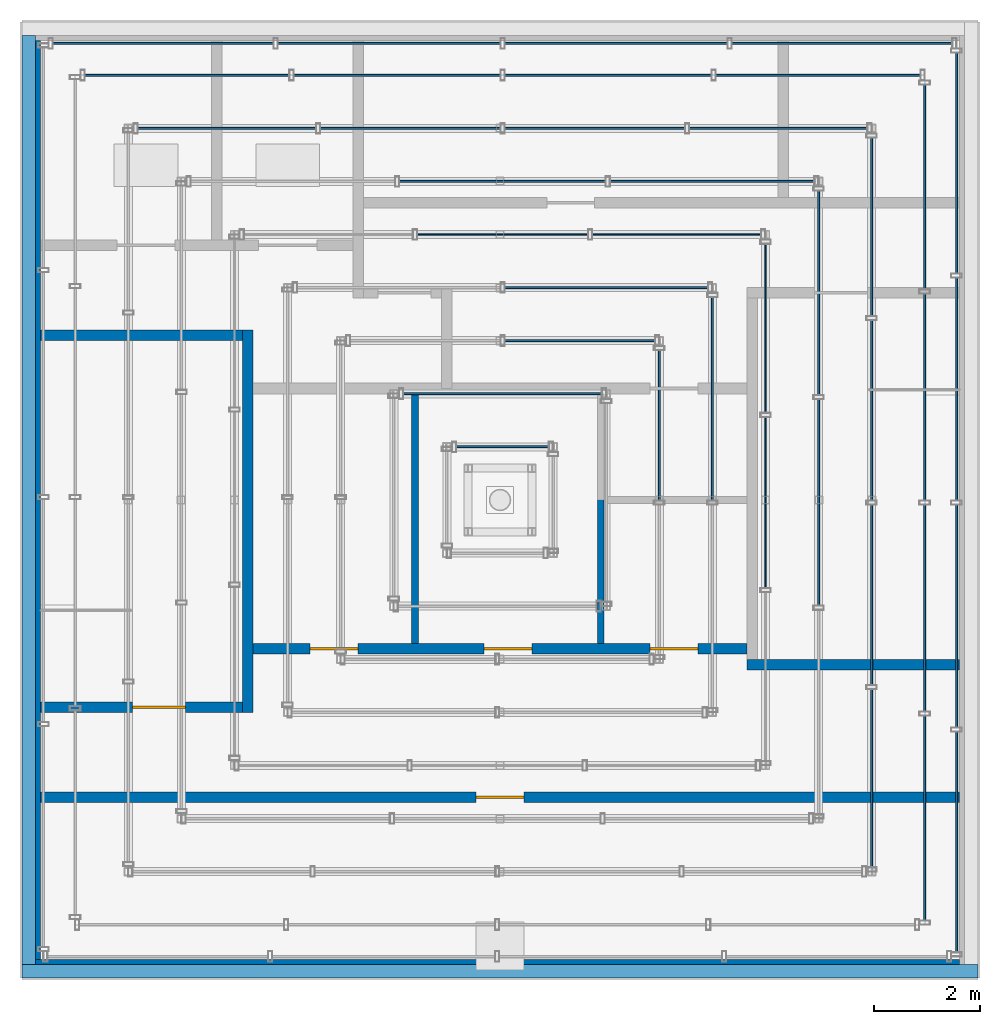
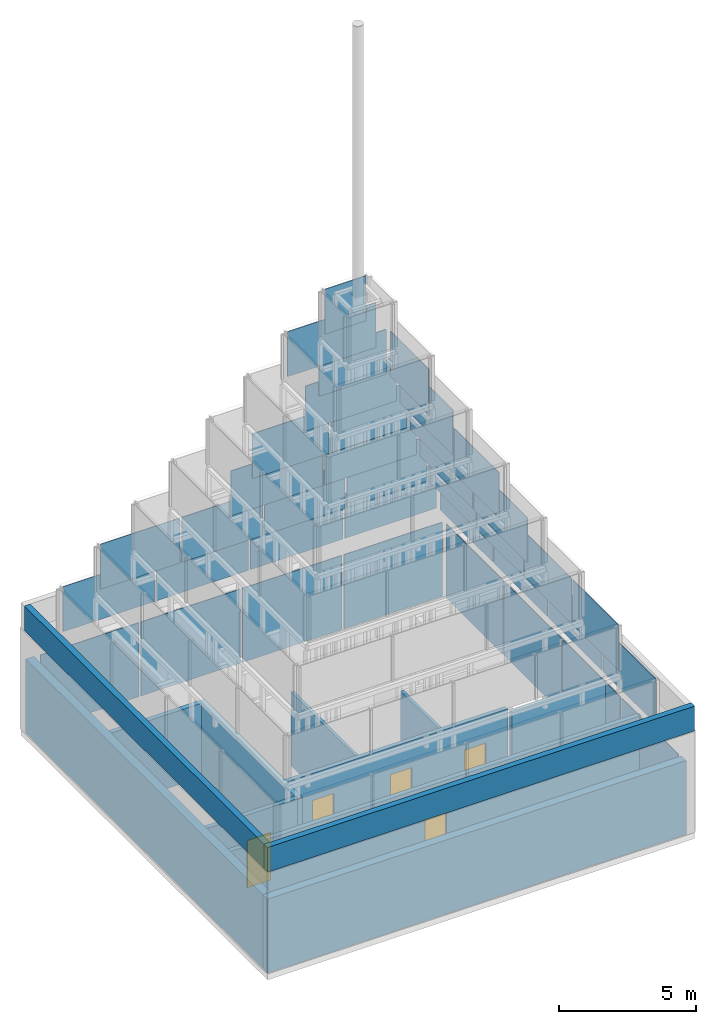
# One storey, part 18 of 24: 38 plates, 12 walls, 5 doors, 5 openings, 16 elements without a shape of their own.
"""IFC4 building model written with IfcOpenShell, lengths in metres."""

from ifc_helpers import new_model, si_unit, direction, frame, frame_2d, origin, origin_2d, place, context, subcontext, project, spatial, rectangle, extrude, material, layer, layer_set, type_object, element, fill, aggregate, save


model = new_model("IFC4")

# Units and contexts
model_context = context("Model", 3, precision=1e-05, world=origin(), true_north=direction((0.0, 1.0)))
body_context = subcontext(model_context, "Body", "Model", "MODEL_VIEW")
ifc_project = project(units=[si_unit("LENGTHUNIT", "METRE"), si_unit("AREAUNIT", "SQUARE_METRE"), si_unit("VOLUMEUNIT", "CUBIC_METRE"), si_unit("PLANEANGLEUNIT", "RADIAN"), si_unit("MASSUNIT", "GRAM", prefix="KILO")], contexts=[model_context])

# Site, building, storey
site_placement = place(None, origin())
site = spatial("IfcSite", under=ifc_project, at=site_placement, CompositionType="ELEMENT")
building_placement = place(site_placement, origin())
building = spatial("IfcBuilding", under=site, at=building_placement, Name="Altepetl Exchange Towers", CompositionType="ELEMENT")
storey_placement = place(building_placement, frame((0.0, 0.0, 279.10009765625)))
storey = spatial("IfcBuildingStorey", under=building, at=storey_placement, Name="L70 Crown plant", CompositionType="ELEMENT", Elevation=279.10009765625)

# Curtain wall, plates
ifc_material_1 = material(Name="Aluminium 6063-T6 glazing", Category="aluminium")
curtain_wall_type = type_object("IfcCurtainWallType", Name="Crown glazing system", PredefinedType="NOTDEFINED", material=ifc_material_1)
curtain_wall_1_placement = place(storey_placement, origin())
curtain_wall_1 = element("IfcCurtainWall", 1, at=curtain_wall_1_placement, inside=storey, type_object=curtain_wall_type, Name="CW7 run", PredefinedType="NOTDEFINED")
ifc_material_2 = material(Name="Glass 8-20-8 solar control", Category="glass")
ifc_layer_1 = layer(ifc_material_2, 0.035888671875)
ifc_layer_set_1 = layer_set([ifc_layer_1], Name="Glass 8-20-8 solar control")
plate_type = type_object("IfcPlateType", Name="Glass panel 36 double glazed", PredefinedType="CURTAIN_PANEL", material=ifc_layer_set_1)
plate_1_placement = place(storey_placement, frame((58.10009765625, 43.0576171875, 0.0), z_axis=(0.0, 0.0, 1.0), x_axis=(0.0, 1.0, 0.0)))
plate_1 = element("IfcPlate", 2, at=plate_1_placement, type_object=plate_type, Name="GP2 panel", PredefinedType="CURTAIN_PANEL", context=body_context, shape_type="SweptSolid", body=[
    extrude(rectangle(XDim=4.155029296875, YDim=0.035888671875, at=origin_2d()), origin(), (0.0, 0.0, 1.0), 3.300048828125),
])
plate_2_placement = place(storey_placement, frame((58.10009765625, 47.3125, 0.0), z_axis=(0.0, 0.0, 1.0), x_axis=(0.0, 1.0, 0.0)))
plate_2 = element("IfcPlate", 3, at=plate_2_placement, type_object=plate_type, Name="GP2 panel", PredefinedType="CURTAIN_PANEL", context=body_context, shape_type="SweptSolid", body=[
    extrude(rectangle(XDim=4.195068359375, YDim=0.035888671875, at=origin_2d()), origin(), (0.0, 0.0, 1.0), 3.300048828125),
])
plate_3_placement = place(storey_placement, frame((58.10009765625, 51.58740234375, 0.0), z_axis=(0.0, 0.0, 1.0), x_axis=(0.0, 1.0, 0.0)))
plate_3 = element("IfcPlate", 4, at=plate_3_placement, type_object=plate_type, Name="GP2 panel", PredefinedType="CURTAIN_PANEL", context=body_context, shape_type="SweptSolid", body=[
    extrude(rectangle(XDim=4.195068359375, YDim=0.035888671875, at=origin_2d()), origin(), (0.0, 0.0, 1.0), 3.300048828125),
])
plate_4_placement = place(storey_placement, frame((58.10009765625, 55.842529296875, 0.0), z_axis=(0.0, 0.0, 1.0), x_axis=(0.0, 1.0, 0.0)))
plate_4 = element("IfcPlate", 5, at=plate_4_placement, type_object=plate_type, Name="GP2 panel", PredefinedType="CURTAIN_PANEL", context=body_context, shape_type="SweptSolid", body=[
    extrude(rectangle(XDim=4.155029296875, YDim=0.035888671875, at=origin_2d()), origin(), (0.0, 0.0, 1.0), 3.300048828125),
])
aggregate(curtain_wall_1, [plate_1, plate_2, plate_3, plate_4])

curtain_wall_2_placement = place(storey_placement, origin())
curtain_wall_2 = element("IfcCurtainWall", 6, at=curtain_wall_2_placement, inside=storey, type_object=curtain_wall_type, Name="CW7 run", PredefinedType="NOTDEFINED")
plate_5_placement = place(storey_placement, frame((55.9423828125, 58.10009765625, 0.0), z_axis=(0.0, 0.0, 1.0), x_axis=(-1.0, 0.0, 0.0)))
plate_5 = element("IfcPlate", 7, at=plate_5_placement, type_object=plate_type, Name="GP2 panel", PredefinedType="CURTAIN_PANEL", context=body_context, shape_type="SweptSolid", body=[
    extrude(rectangle(XDim=4.155029296875, YDim=0.035888671875, at=origin_2d()), origin(), (0.0, 0.0, 1.0), 3.300048828125),
])
plate_6_placement = place(storey_placement, frame((51.6875, 58.10009765625, 0.0), z_axis=(0.0, 0.0, 1.0), x_axis=(-1.0, 0.0, 0.0)))
plate_6 = element("IfcPlate", 8, at=plate_6_placement, type_object=plate_type, Name="GP2 panel", PredefinedType="CURTAIN_PANEL", context=body_context, shape_type="SweptSolid", body=[
    extrude(rectangle(XDim=4.195068359375, YDim=0.035888671875, at=origin_2d()), origin(), (0.0, 0.0, 1.0), 3.300048828125),
])
plate_7_placement = place(storey_placement, frame((47.41259765625, 58.10009765625, 0.0), z_axis=(0.0, 0.0, 1.0), x_axis=(-1.0, 0.0, 0.0)))
plate_7 = element("IfcPlate", 9, at=plate_7_placement, type_object=plate_type, Name="GP2 panel", PredefinedType="CURTAIN_PANEL", context=body_context, shape_type="SweptSolid", body=[
    extrude(rectangle(XDim=4.195068359375, YDim=0.035888671875, at=origin_2d()), origin(), (0.0, 0.0, 1.0), 3.300048828125),
])
plate_8_placement = place(storey_placement, frame((43.157470703125, 58.10009765625, 0.0), z_axis=(0.0, 0.0, 1.0), x_axis=(-1.0, 0.0, 0.0)))
plate_8 = element("IfcPlate", 10, at=plate_8_placement, type_object=plate_type, Name="GP2 panel", PredefinedType="CURTAIN_PANEL", context=body_context, shape_type="SweptSolid", body=[
    extrude(rectangle(XDim=4.155029296875, YDim=0.035888671875, at=origin_2d()), origin(), (0.0, 0.0, 1.0), 3.300048828125),
])
aggregate(curtain_wall_2, [plate_5, plate_6, plate_7, plate_8])

curtain_wall_3_placement = place(storey_placement, origin())
curtain_wall_3 = element("IfcCurtainWall", 11, at=curtain_wall_3_placement, inside=storey, type_object=curtain_wall_type, Name="CW7 run", PredefinedType="NOTDEFINED")
plate_9_placement = place(storey_placement, frame((57.5, 43.507568359375, 4.5), z_axis=(0.0, 0.0, 1.0), x_axis=(0.0, 1.0, 0.0)))
plate_9 = element("IfcPlate", 12, at=plate_9_placement, type_object=plate_type, Name="GP2 panel", PredefinedType="CURTAIN_PANEL", context=body_context, shape_type="SweptSolid", body=[
    extrude(rectangle(XDim=3.85498046875, YDim=0.035888671875, at=origin_2d()), origin(), (0.0, 0.0, 1.0), 2.0),
])
plate_10_placement = place(storey_placement, frame((57.5, 47.46240234375, 4.5), z_axis=(0.0, 0.0, 1.0), x_axis=(0.0, 1.0, 0.0)))
plate_10 = element("IfcPlate", 13, at=plate_10_placement, type_object=plate_type, Name="GP2 panel", PredefinedType="CURTAIN_PANEL", context=body_context, shape_type="SweptSolid", body=[
    extrude(rectangle(XDim=3.89501953125, YDim=0.035888671875, at=origin_2d()), origin(), (0.0, 0.0, 1.0), 2.0),
])
plate_11_placement = place(storey_placement, frame((57.5, 51.4375, 4.5), z_axis=(0.0, 0.0, 1.0), x_axis=(0.0, 1.0, 0.0)))
plate_11 = element("IfcPlate", 14, at=plate_11_placement, type_object=plate_type, Name="GP2 panel", PredefinedType="CURTAIN_PANEL", context=body_context, shape_type="SweptSolid", body=[
    extrude(rectangle(XDim=3.89501953125, YDim=0.035888671875, at=origin_2d()), origin(), (0.0, 0.0, 1.0), 2.0),
])
plate_12_placement = place(storey_placement, frame((57.5, 55.392578125, 4.5), z_axis=(0.0, 0.0, 1.0), x_axis=(0.0, 1.0, 0.0)))
plate_12 = element("IfcPlate", 15, at=plate_12_placement, type_object=plate_type, Name="GP2 panel", PredefinedType="CURTAIN_PANEL", context=body_context, shape_type="SweptSolid", body=[
    extrude(rectangle(XDim=3.85498046875, YDim=0.035888671875, at=origin_2d()), origin(), (0.0, 0.0, 1.0), 2.0),
])
aggregate(curtain_wall_3, [plate_9, plate_10, plate_11, plate_12])

curtain_wall_4_placement = place(storey_placement, origin())
curtain_wall_4 = element("IfcCurtainWall", 16, at=curtain_wall_4_placement, inside=storey, type_object=curtain_wall_type, Name="CW7 run", PredefinedType="NOTDEFINED")
plate_13_placement = place(storey_placement, frame((55.492431640625, 57.5, 4.5), z_axis=(0.0, 0.0, 1.0), x_axis=(-1.0, 0.0, 0.0)))
plate_13 = element("IfcPlate", 17, at=plate_13_placement, type_object=plate_type, Name="GP2 panel", PredefinedType="CURTAIN_PANEL", context=body_context, shape_type="SweptSolid", body=[
    extrude(rectangle(XDim=3.85498046875, YDim=0.035888671875, at=origin_2d()), origin(), (0.0, 0.0, 1.0), 2.0),
])
plate_14_placement = place(storey_placement, frame((51.53759765625, 57.5, 4.5), z_axis=(0.0, 0.0, 1.0), x_axis=(-1.0, 0.0, 0.0)))
plate_14 = element("IfcPlate", 18, at=plate_14_placement, type_object=plate_type, Name="GP2 panel", PredefinedType="CURTAIN_PANEL", context=body_context, shape_type="SweptSolid", body=[
    extrude(rectangle(XDim=3.89501953125, YDim=0.035888671875, at=origin_2d()), origin(), (0.0, 0.0, 1.0), 2.0),
])
plate_15_placement = place(storey_placement, frame((47.5625, 57.5, 4.5), z_axis=(0.0, 0.0, 1.0), x_axis=(-1.0, 0.0, 0.0)))
plate_15 = element("IfcPlate", 19, at=plate_15_placement, type_object=plate_type, Name="GP2 panel", PredefinedType="CURTAIN_PANEL", context=body_context, shape_type="SweptSolid", body=[
    extrude(rectangle(XDim=3.89501953125, YDim=0.035888671875, at=origin_2d()), origin(), (0.0, 0.0, 1.0), 2.0),
])
plate_16_placement = place(storey_placement, frame((43.607421875, 57.5, 4.5), z_axis=(0.0, 0.0, 1.0), x_axis=(-1.0, 0.0, 0.0)))
plate_16 = element("IfcPlate", 20, at=plate_16_placement, type_object=plate_type, Name="GP2 panel", PredefinedType="CURTAIN_PANEL", context=body_context, shape_type="SweptSolid", body=[
    extrude(rectangle(XDim=3.85498046875, YDim=0.035888671875, at=origin_2d()), origin(), (0.0, 0.0, 1.0), 2.0),
])
aggregate(curtain_wall_4, [plate_13, plate_14, plate_15, plate_16])

curtain_wall_5_placement = place(storey_placement, origin())
curtain_wall_5 = element("IfcCurtainWall", 21, at=curtain_wall_5_placement, inside=storey, type_object=curtain_wall_type, Name="CW7 run", PredefinedType="NOTDEFINED")
plate_17_placement = place(storey_placement, frame((56.5, 44.257568359375, 6.64990234375), z_axis=(0.0, 0.0, 1.0), x_axis=(0.0, 1.0, 0.0)))
plate_17 = element("IfcPlate", 22, at=plate_17_placement, type_object=plate_type, Name="GP2 panel", PredefinedType="CURTAIN_PANEL", context=body_context, shape_type="SweptSolid", body=[
    extrude(rectangle(XDim=3.35498046875, YDim=0.035888671875, at=origin_2d()), origin(), (0.0, 0.0, 1.0), 2.0),
])
plate_18_placement = place(storey_placement, frame((56.5, 47.71240234375, 6.64990234375), z_axis=(0.0, 0.0, 1.0), x_axis=(0.0, 1.0, 0.0)))
plate_18 = element("IfcPlate", 23, at=plate_18_placement, type_object=plate_type, Name="GP2 panel", PredefinedType="CURTAIN_PANEL", context=body_context, shape_type="SweptSolid", body=[
    extrude(rectangle(XDim=3.39501953125, YDim=0.035888671875, at=origin_2d()), origin(), (0.0, 0.0, 1.0), 2.0),
])
plate_19_placement = place(storey_placement, frame((56.5, 51.1875, 6.64990234375), z_axis=(0.0, 0.0, 1.0), x_axis=(0.0, 1.0, 0.0)))
plate_19 = element("IfcPlate", 24, at=plate_19_placement, type_object=plate_type, Name="GP2 panel", PredefinedType="CURTAIN_PANEL", context=body_context, shape_type="SweptSolid", body=[
    extrude(rectangle(XDim=3.39501953125, YDim=0.035888671875, at=origin_2d()), origin(), (0.0, 0.0, 1.0), 2.0),
])
plate_20_placement = place(storey_placement, frame((56.5, 54.642578125, 6.64990234375), z_axis=(0.0, 0.0, 1.0), x_axis=(0.0, 1.0, 0.0)))
plate_20 = element("IfcPlate", 25, at=plate_20_placement, type_object=plate_type, Name="GP2 panel", PredefinedType="CURTAIN_PANEL", context=body_context, shape_type="SweptSolid", body=[
    extrude(rectangle(XDim=3.35498046875, YDim=0.035888671875, at=origin_2d()), origin(), (0.0, 0.0, 1.0), 2.0),
])
aggregate(curtain_wall_5, [plate_17, plate_18, plate_19, plate_20])

curtain_wall_6_placement = place(storey_placement, origin())
curtain_wall_6 = element("IfcCurtainWall", 26, at=curtain_wall_6_placement, inside=storey, type_object=curtain_wall_type, Name="CW7 run", PredefinedType="NOTDEFINED")
plate_21_placement = place(storey_placement, frame((54.742431640625, 56.5, 6.64990234375), z_axis=(0.0, 0.0, 1.0), x_axis=(-1.0, 0.0, 0.0)))
plate_21 = element("IfcPlate", 27, at=plate_21_placement, type_object=plate_type, Name="GP2 panel", PredefinedType="CURTAIN_PANEL", context=body_context, shape_type="SweptSolid", body=[
    extrude(rectangle(XDim=3.35498046875, YDim=0.035888671875, at=origin_2d()), origin(), (0.0, 0.0, 1.0), 2.0),
])
plate_22_placement = place(storey_placement, frame((51.28759765625, 56.5, 6.64990234375), z_axis=(0.0, 0.0, 1.0), x_axis=(-1.0, 0.0, 0.0)))
plate_22 = element("IfcPlate", 28, at=plate_22_placement, type_object=plate_type, Name="GP2 panel", PredefinedType="CURTAIN_PANEL", context=body_context, shape_type="SweptSolid", body=[
    extrude(rectangle(XDim=3.39501953125, YDim=0.035888671875, at=origin_2d()), origin(), (0.0, 0.0, 1.0), 2.0),
])
plate_23_placement = place(storey_placement, frame((47.8125, 56.5, 6.64990234375), z_axis=(0.0, 0.0, 1.0), x_axis=(-1.0, 0.0, 0.0)))
plate_23 = element("IfcPlate", 29, at=plate_23_placement, type_object=plate_type, Name="GP2 panel", PredefinedType="CURTAIN_PANEL", context=body_context, shape_type="SweptSolid", body=[
    extrude(rectangle(XDim=3.39501953125, YDim=0.035888671875, at=origin_2d()), origin(), (0.0, 0.0, 1.0), 2.0),
])
plate_24_placement = place(storey_placement, frame((44.357421875, 56.5, 6.64990234375), z_axis=(0.0, 0.0, 1.0), x_axis=(-1.0, 0.0, 0.0)))
plate_24 = element("IfcPlate", 30, at=plate_24_placement, type_object=plate_type, Name="GP2 panel", PredefinedType="CURTAIN_PANEL", context=body_context, shape_type="SweptSolid", body=[
    extrude(rectangle(XDim=3.35498046875, YDim=0.035888671875, at=origin_2d()), origin(), (0.0, 0.0, 1.0), 2.0),
])
aggregate(curtain_wall_6, [plate_21, plate_22, plate_23, plate_24])

curtain_wall_7_placement = place(storey_placement, origin())
curtain_wall_7 = element("IfcCurtainWall", 31, at=curtain_wall_7_placement, inside=storey, type_object=curtain_wall_type, Name="CW7 run", PredefinedType="NOTDEFINED")
plate_25_placement = place(storey_placement, frame((55.5, 49.449951171875, 8.7998046875), z_axis=(0.0, 0.0, 1.0), x_axis=(0.0, 1.0, 0.0)))
plate_25 = element("IfcPlate", 32, at=plate_25_placement, type_object=plate_type, Name="GP2 panel", PredefinedType="CURTAIN_PANEL", context=body_context, shape_type="SweptSolid", body=[
    extrude(rectangle(XDim=3.88671875, YDim=0.035888671875, at=origin_2d()), origin(), (0.0, 0.0, 1.0), 2.0),
])
plate_26_placement = place(storey_placement, frame((55.5, 53.396728515625, 8.7998046875), z_axis=(0.0, 0.0, 1.0), x_axis=(0.0, 1.0, 0.0)))
plate_26 = element("IfcPlate", 33, at=plate_26_placement, type_object=plate_type, Name="GP2 panel", PredefinedType="CURTAIN_PANEL", context=body_context, shape_type="SweptSolid", body=[
    extrude(rectangle(XDim=3.8466796875, YDim=0.035888671875, at=origin_2d()), origin(), (0.0, 0.0, 1.0), 2.0),
])
aggregate(curtain_wall_7, [plate_25, plate_26])

curtain_wall_8_placement = place(storey_placement, origin())
curtain_wall_8 = element("IfcCurtainWall", 34, at=curtain_wall_8_placement, inside=storey, type_object=curtain_wall_type, Name="CW7 run", PredefinedType="NOTDEFINED")
plate_27_placement = place(storey_placement, frame((53.49658203125, 55.5, 8.7998046875), z_axis=(0.0, 0.0, 1.0), x_axis=(-1.0, 0.0, 0.0)))
plate_27 = element("IfcPlate", 35, at=plate_27_placement, type_object=plate_type, Name="GP2 panel", PredefinedType="CURTAIN_PANEL", context=body_context, shape_type="SweptSolid", body=[
    extrude(rectangle(XDim=3.8466796875, YDim=0.035888671875, at=origin_2d()), origin(), (0.0, 0.0, 1.0), 2.0),
])
plate_28_placement = place(storey_placement, frame((49.550048828125, 55.5, 8.7998046875), z_axis=(0.0, 0.0, 1.0), x_axis=(-1.0, 0.0, 0.0)))
plate_28 = element("IfcPlate", 36, at=plate_28_placement, type_object=plate_type, Name="GP2 panel", PredefinedType="CURTAIN_PANEL", context=body_context, shape_type="SweptSolid", body=[
    extrude(rectangle(XDim=3.88671875, YDim=0.035888671875, at=origin_2d()), origin(), (0.0, 0.0, 1.0), 2.0),
])
aggregate(curtain_wall_8, [plate_27, plate_28])

curtain_wall_9_placement = place(storey_placement, origin())
curtain_wall_9 = element("IfcCurtainWall", 37, at=curtain_wall_9_placement, inside=storey, type_object=curtain_wall_type, Name="CW7 run", PredefinedType="NOTDEFINED")
plate_29_placement = place(storey_placement, frame((54.5, 49.449951171875, 10.949951171875), z_axis=(0.0, 0.0, 1.0), x_axis=(0.0, 1.0, 0.0)))
plate_29 = element("IfcPlate", 38, at=plate_29_placement, type_object=plate_type, Name="GP2 panel", PredefinedType="CURTAIN_PANEL", context=body_context, shape_type="SweptSolid", body=[
    extrude(rectangle(XDim=3.219970703125, YDim=0.035888671875, at=origin_2d()), origin(), (0.0, 0.0, 1.0), 2.0),
])
plate_30_placement = place(storey_placement, frame((54.5, 52.72998046875, 10.949951171875), z_axis=(0.0, 0.0, 1.0), x_axis=(0.0, 1.0, 0.0)))
plate_30 = element("IfcPlate", 39, at=plate_30_placement, type_object=plate_type, Name="GP2 panel", PredefinedType="CURTAIN_PANEL", context=body_context, shape_type="SweptSolid", body=[
    extrude(rectangle(XDim=3.179931640625, YDim=0.035888671875, at=origin_2d()), origin(), (0.0, 0.0, 1.0), 2.0),
])
aggregate(curtain_wall_9, [plate_29, plate_30])

curtain_wall_10_placement = place(storey_placement, origin())
curtain_wall_10 = element("IfcCurtainWall", 40, at=curtain_wall_10_placement, inside=storey, type_object=curtain_wall_type, Name="CW7 run", PredefinedType="NOTDEFINED")
plate_31_placement = place(storey_placement, frame((52.830078125, 54.5, 10.949951171875), z_axis=(0.0, 0.0, 1.0), x_axis=(-1.0, 0.0, 0.0)))
plate_31 = element("IfcPlate", 41, at=plate_31_placement, type_object=plate_type, Name="GP2 panel", PredefinedType="CURTAIN_PANEL", context=body_context, shape_type="SweptSolid", body=[
    extrude(rectangle(XDim=3.179931640625, YDim=0.035888671875, at=origin_2d()), origin(), (0.0, 0.0, 1.0), 2.0),
])
plate_32_placement = place(storey_placement, frame((49.550048828125, 54.5, 10.949951171875), z_axis=(0.0, 0.0, 1.0), x_axis=(-1.0, 0.0, 0.0)))
plate_32 = element("IfcPlate", 42, at=plate_32_placement, type_object=plate_type, Name="GP2 panel", PredefinedType="CURTAIN_PANEL", context=body_context, shape_type="SweptSolid", body=[
    extrude(rectangle(XDim=3.219970703125, YDim=0.035888671875, at=origin_2d()), origin(), (0.0, 0.0, 1.0), 2.0),
])
aggregate(curtain_wall_10, [plate_31, plate_32])

# Curtain wall, plate
curtain_wall_11_placement = place(storey_placement, origin())
curtain_wall_11 = element("IfcCurtainWall", 43, at=curtain_wall_11_placement, inside=storey, type_object=curtain_wall_type, Name="CW7 run", PredefinedType="NOTDEFINED")
plate_33_placement = place(storey_placement, frame((53.5, 51.405029296875, 13.099853515625), z_axis=(0.0, 0.0, 1.0), x_axis=(0.0, 1.0, 0.0)))
plate_33 = element("IfcPlate", 44, at=plate_33_placement, type_object=plate_type, Name="GP2 panel", PredefinedType="CURTAIN_PANEL", context=body_context, shape_type="SweptSolid", body=[
    extrude(rectangle(XDim=3.830078125, YDim=0.035888671875, at=origin_2d()), origin(), (0.0, 0.0, 1.0), 2.0),
])
aggregate(curtain_wall_11, [plate_33])

curtain_wall_12_placement = place(storey_placement, origin())
curtain_wall_12 = element("IfcCurtainWall", 45, at=curtain_wall_12_placement, inside=storey, type_object=curtain_wall_type, Name="CW7 run", PredefinedType="NOTDEFINED")
plate_34_placement = place(storey_placement, frame((51.5048828125, 53.5, 13.099853515625), z_axis=(0.0, 0.0, 1.0), x_axis=(-1.0, 0.0, 0.0)))
plate_34 = element("IfcPlate", 46, at=plate_34_placement, type_object=plate_type, Name="GP2 panel", PredefinedType="CURTAIN_PANEL", context=body_context, shape_type="SweptSolid", body=[
    extrude(rectangle(XDim=3.830078125, YDim=0.035888671875, at=origin_2d()), origin(), (0.0, 0.0, 1.0), 2.0),
])
aggregate(curtain_wall_12, [plate_34])

curtain_wall_13_placement = place(storey_placement, origin())
curtain_wall_13 = element("IfcCurtainWall", 47, at=curtain_wall_13_placement, inside=storey, type_object=curtain_wall_type, Name="CW7 run", PredefinedType="NOTDEFINED")
plate_35_placement = place(storey_placement, frame((52.5, 50.905029296875, 15.25), z_axis=(0.0, 0.0, 1.0), x_axis=(0.0, 1.0, 0.0)))
plate_35 = element("IfcPlate", 48, at=plate_35_placement, type_object=plate_type, Name="GP2 panel", PredefinedType="CURTAIN_PANEL", context=body_context, shape_type="SweptSolid", body=[
    extrude(rectangle(XDim=2.830078125, YDim=0.035888671875, at=origin_2d()), origin(), (0.0, 0.0, 1.0), 2.0),
])
aggregate(curtain_wall_13, [plate_35])

curtain_wall_14_placement = place(storey_placement, origin())
curtain_wall_14 = element("IfcCurtainWall", 49, at=curtain_wall_14_placement, inside=storey, type_object=curtain_wall_type, Name="CW7 run", PredefinedType="NOTDEFINED")
plate_36_placement = place(storey_placement, frame((51.0048828125, 52.5, 15.25), z_axis=(0.0, 0.0, 1.0), x_axis=(-1.0, 0.0, 0.0)))
plate_36 = element("IfcPlate", 50, at=plate_36_placement, type_object=plate_type, Name="GP2 panel", PredefinedType="CURTAIN_PANEL", context=body_context, shape_type="SweptSolid", body=[
    extrude(rectangle(XDim=2.830078125, YDim=0.035888671875, at=origin_2d()), origin(), (0.0, 0.0, 1.0), 2.0),
])
aggregate(curtain_wall_14, [plate_36])

curtain_wall_15_placement = place(storey_placement, origin())
curtain_wall_15 = element("IfcCurtainWall", 51, at=curtain_wall_15_placement, inside=storey, type_object=curtain_wall_type, Name="CW7 run", PredefinedType="NOTDEFINED")
plate_37_placement = place(storey_placement, frame((49.550048828125, 51.5, 17.39990234375), z_axis=(0.0, 0.0, 1.0), x_axis=(-1.0, 0.0, 0.0)))
plate_37 = element("IfcPlate", 52, at=plate_37_placement, type_object=plate_type, Name="GP2 panel", PredefinedType="CURTAIN_PANEL", context=body_context, shape_type="SweptSolid", body=[
    extrude(rectangle(XDim=3.739990234375, YDim=0.035888671875, at=origin_2d()), origin(), (0.0, 0.0, 1.0), 2.0),
])
aggregate(curtain_wall_15, [plate_37])

curtain_wall_16_placement = place(storey_placement, origin())
curtain_wall_16 = element("IfcCurtainWall", 53, at=curtain_wall_16_placement, inside=storey, type_object=curtain_wall_type, Name="CW7 run", PredefinedType="NOTDEFINED")
plate_38_placement = place(storey_placement, frame((49.550048828125, 50.5, 19.5498046875), z_axis=(0.0, 0.0, 1.0), x_axis=(-1.0, 0.0, 0.0)))
plate_38 = element("IfcPlate", 54, at=plate_38_placement, type_object=plate_type, Name="GP2 panel", PredefinedType="CURTAIN_PANEL", context=body_context, shape_type="SweptSolid", body=[
    extrude(rectangle(XDim=1.739990234375, YDim=0.035888671875, at=origin_2d()), origin(), (0.0, 0.0, 1.0), 2.0),
])
aggregate(curtain_wall_16, [plate_38])

# Walls
ifc_material_3 = material(Name="Concrete C70/85", Category="concrete")
ifc_layer_2 = layer(ifc_material_3, 0.35009765625)
ifc_layer_set_2 = layer_set([ifc_layer_2], Name="Concrete C70/85")
wall_type_1 = type_object("IfcWallType", Name="Core wall 350 reinforced concrete external", PredefinedType="SHEAR", material=ifc_layer_set_2)
wall_1_placement = place(storey_placement, frame((40.5, 40.675048828125, 0.0)))
element("IfcWall", 55, at=wall_1_placement, inside=storey, type_object=wall_type_1, Name="wall:A:L70:K-coreS", PredefinedType="SHEAR", context=body_context, shape_type="SweptSolid", body=[
    extrude(rectangle(XDim=17.64990234375, YDim=0.35009765625, at=frame_2d((8.824951171875, 0.0))), origin(), (0.0, 0.0, 1.0), 3.2998046875),
])
wall_2_placement = place(storey_placement, frame((40.675048828125, 40.85009765625, 0.0), z_axis=(0.0, 0.0, 1.0), x_axis=(0.0, 1.0, 0.0)))
element("IfcWall", 56, at=wall_2_placement, inside=storey, type_object=wall_type_1, Name="wall:A:L70:K-coreW", PredefinedType="SHEAR", context=body_context, shape_type="SweptSolid", body=[
    extrude(rectangle(XDim=17.2998046875, YDim=0.35009765625, at=frame_2d((8.64990234375, 0.0))), origin(), (0.0, 0.0, 1.0), 3.2998046875),
])

# Wall, openings, doors
ifc_material_4 = material(Name="Concrete blockwork", Category="masonry")
ifc_layer_3 = layer(ifc_material_4, 0.199951171875)
ifc_layer_set_3 = layer_set([ifc_layer_3], Name="Concrete blockwork")
wall_type_2 = type_object("IfcWallType", Name="Lobby wall 200 blockwork", PredefinedType="PARTITIONING", material=ifc_layer_set_3)
wall_3_placement = place(storey_placement, frame((44.85009765625, 46.699951171875, 0.0)))
wall_3 = element("IfcWall", 57, at=wall_3_placement, inside=storey, type_object=wall_type_2, Name="wall:A:L70:K-zoneS", PredefinedType="PARTITIONING", context=body_context, shape_type="SweptSolid", body=[
    extrude(rectangle(XDim=9.2998046875, YDim=0.199951171875, at=frame_2d((4.64990234375, 0.0))), origin(), (0.0, 0.0, 1.0), 3.2998046875),
])
opening_1_placement = place(wall_3_placement, frame((1.074951171875, 0.0, 0.0)))
opening_1 = element("IfcOpeningElement", 58, at=opening_1_placement, cuts=wall_3, Name="Opening L70.A65", PredefinedType="OPENING", context=body_context, shape_type="SweptSolid", body=[
    extrude(rectangle(XDim=0.89990234375, YDim=2.10009765625, at=frame_2d((0.449951171875, 1.050048828125))), frame((0.0, 0.10986328125, 0.0), z_axis=(0.0, -1.0, 0.0), x_axis=(1.0, 0.0, 0.0)), (0.0, 0.0, 1.0), 0.219970703125),
])
opening_2_placement = place(wall_3_placement, frame((4.35009765625, 0.0, 0.0)))
opening_2 = element("IfcOpeningElement", 59, at=opening_2_placement, cuts=wall_3, Name="Opening L70.A66", PredefinedType="OPENING", context=body_context, shape_type="SweptSolid", body=[
    extrude(rectangle(XDim=0.89990234375, YDim=2.10009765625, at=frame_2d((0.449951171875, 1.050048828125))), frame((0.0, 0.10986328125, 0.0), z_axis=(0.0, -1.0, 0.0), x_axis=(1.0, 0.0, 0.0)), (0.0, 0.0, 1.0), 0.219970703125),
])
opening_3_placement = place(wall_3_placement, frame((7.47509765625, 0.0, 0.0)))
opening_3 = element("IfcOpeningElement", 60, at=opening_3_placement, cuts=wall_3, Name="Opening L70.A67", PredefinedType="OPENING", context=body_context, shape_type="SweptSolid", body=[
    extrude(rectangle(XDim=0.89990234375, YDim=2.10009765625, at=frame_2d((0.449951171875, 1.050048828125))), frame((0.0, 0.10986328125, 0.0), z_axis=(0.0, -1.0, 0.0), x_axis=(1.0, 0.0, 0.0)), (0.0, 0.0, 1.0), 0.219970703125),
])
ifc_material_5 = material(Name="Steel and timber fire door", Category="steel")
door_type_1 = type_object("IfcDoorType", Name="Fire door 900 x 2100 service room", OperationType="SINGLE_SWING_LEFT", PredefinedType="DOOR", material=ifc_material_5)
door_1_placement = place(opening_1_placement, origin())
door_1 = element("IfcDoor", 61, at=door_1_placement, inside=storey, type_object=door_type_1, Name="door:A:L70:K-dz1", OperationType="SINGLE_SWING_LEFT", OverallHeight=2.10009765625, OverallWidth=0.89990234375, PredefinedType="DOOR", context=body_context, shape_type="SweptSolid", body=[
    extrude(rectangle(XDim=0.89990234375, YDim=2.10009765625, at=frame_2d((0.449951171875, 1.050048828125))), frame((0.0, 0.02490234375, 0.0), z_axis=(0.0, -1.0, 0.0), x_axis=(1.0, 0.0, 0.0)), (0.0, 0.0, 1.0), 0.050048828125),
])
fill(opening_1, door_1)
door_2_placement = place(opening_2_placement, origin())
door_2 = element("IfcDoor", 62, at=door_2_placement, inside=storey, type_object=door_type_1, Name="door:A:L70:K-dz2", OperationType="SINGLE_SWING_RIGHT", OverallHeight=2.10009765625, OverallWidth=0.89990234375, PredefinedType="DOOR", context=body_context, shape_type="SweptSolid", body=[
    extrude(rectangle(XDim=0.89990234375, YDim=2.10009765625, at=frame_2d((0.449951171875, 1.050048828125))), frame((0.0, 0.02490234375, 0.0), z_axis=(0.0, -1.0, 0.0), x_axis=(1.0, 0.0, 0.0)), (0.0, 0.0, 1.0), 0.050048828125),
])
fill(opening_2, door_2)
door_3_placement = place(opening_3_placement, origin())
door_3 = element("IfcDoor", 63, at=door_3_placement, inside=storey, type_object=door_type_1, Name="door:A:L70:K-dz3", OperationType="SINGLE_SWING_RIGHT", OverallHeight=2.10009765625, OverallWidth=0.89990234375, PredefinedType="DOOR", context=body_context, shape_type="SweptSolid", body=[
    extrude(rectangle(XDim=0.89990234375, YDim=2.10009765625, at=frame_2d((0.449951171875, 1.050048828125))), frame((0.0, 0.02490234375, 0.0), z_axis=(0.0, -1.0, 0.0), x_axis=(1.0, 0.0, 0.0)), (0.0, 0.0, 1.0), 0.050048828125),
])
fill(opening_3, door_3)

# Walls
ifc_material_6 = material(Name="Gypsum board on steel studs", Category="steel")
ifc_layer_4 = layer(ifc_material_6, 0.125)
ifc_layer_set_4 = layer_set([ifc_layer_4], Name="Gypsum board on steel studs")
wall_type_3 = type_object("IfcWallType", Name="Partition 125 gypsum board on steel studs", PredefinedType="PARTITIONING", material=ifc_layer_set_4)
wall_4_placement = place(storey_placement, frame((47.89990234375, 46.800048828125, 0.0), z_axis=(0.0, 0.0, 1.0), x_axis=(0.0, 1.0, 0.0)))
element("IfcWall", 64, at=wall_4_placement, inside=storey, type_object=wall_type_3, Name="wall:A:L70:K-zp1", PredefinedType="PARTITIONING", context=body_context, shape_type="SweptSolid", body=[
    extrude(rectangle(XDim=4.699951171875, YDim=0.125, at=frame_2d((2.35009765625, 0.0))), origin(), (0.0, 0.0, 1.0), 3.2998046875),
])
wall_5_placement = place(storey_placement, frame((51.39990234375, 46.800048828125, 0.0), z_axis=(0.0, 0.0, 1.0), x_axis=(0.0, 1.0, 0.0)))
element("IfcWall", 65, at=wall_5_placement, inside=storey, type_object=wall_type_3, Name="wall:A:L70:K-zp2", PredefinedType="PARTITIONING", context=body_context, shape_type="SweptSolid", body=[
    extrude(rectangle(XDim=2.762451171875, YDim=0.125, at=frame_2d((1.38134765625, 0.0))), origin(), (0.0, 0.0, 1.0), 3.2998046875),
])

# Wall, opening, door
ifc_material_7 = material(Name="Concrete C40/50", Category="concrete")
ifc_layer_5 = layer(ifc_material_7, 0.199951171875)
ifc_layer_set_5 = layer_set([ifc_layer_5], Name="Concrete C40/50")
wall_type_4 = type_object("IfcWallType", Name="Shaft wall 200 reinforced concrete", PredefinedType="SHEAR", material=ifc_layer_set_5)
wall_6_placement = place(storey_placement, frame((40.85009765625, 43.89990234375, 0.0)))
wall_6 = element("IfcWall", 66, at=wall_6_placement, inside=storey, type_object=wall_type_4, Name="wall:A:L70:K-frontS", PredefinedType="SHEAR", context=body_context, shape_type="SweptSolid", body=[
    extrude(rectangle(XDim=17.2998046875, YDim=0.199951171875, at=frame_2d((8.64990234375, 0.0))), origin(), (0.0, 0.0, 1.0), 3.2998046875),
])
opening_4_placement = place(wall_6_placement, frame((8.199951171875, 0.0, 0.0)))
opening_4 = element("IfcOpeningElement", 67, at=opening_4_placement, cuts=wall_6, Name="Opening L70.A64", PredefinedType="OPENING", context=body_context, shape_type="SweptSolid", body=[
    extrude(rectangle(XDim=0.89990234375, YDim=2.10009765625, at=frame_2d((0.449951171875, 1.050048828125))), frame((0.0, 0.10986328125, 0.0), z_axis=(0.0, -1.0, 0.0), x_axis=(1.0, 0.0, 0.0)), (0.0, 0.0, 1.0), 0.219970703125),
])
door_4_placement = place(opening_4_placement, frame((0.89990234375, 0.0, 0.0), x_axis=(-1.0, 0.0, 0.0)))
door_4 = element("IfcDoor", 68, at=door_4_placement, inside=storey, type_object=door_type_1, Name="door:A:L70:K-dslotS0", OperationType="SINGLE_SWING_LEFT", OverallHeight=2.10009765625, OverallWidth=0.89990234375, PredefinedType="DOOR", context=body_context, shape_type="SweptSolid", body=[
    extrude(rectangle(XDim=0.89990234375, YDim=2.10009765625, at=frame_2d((0.449951171875, 1.050048828125))), frame((0.0, 0.02490234375, 0.0), z_axis=(0.0, -1.0, 0.0), x_axis=(1.0, 0.0, 0.0)), (0.0, 0.0, 1.0), 0.050048828125),
])
fill(opening_4, door_4)

# Walls
ifc_layer_6 = layer(ifc_material_7, 0.199951171875)
ifc_layer_set_6 = layer_set([ifc_layer_6], Name="Concrete C40/50")
wall_type_5 = type_object("IfcWallType", Name="Stair wall 200 reinforced concrete", PredefinedType="SHEAR", material=ifc_layer_set_6)
wall_7_placement = place(storey_placement, frame((44.75, 45.5, 0.0), z_axis=(0.0, 0.0, 1.0), x_axis=(0.0, 1.0, 0.0)))
element("IfcWall", 69, at=wall_7_placement, inside=storey, type_object=wall_type_5, Name="wall:A:L70:K-stS1E", PredefinedType="SHEAR", context=body_context, shape_type="SweptSolid", body=[
    extrude(rectangle(XDim=7.199951171875, YDim=0.199951171875, at=frame_2d((3.60009765625, 0.0))), origin(), (0.0, 0.0, 1.0), 3.2998046875),
])
wall_8_placement = place(storey_placement, frame((40.85009765625, 52.60009765625, 0.0)))
element("IfcWall", 70, at=wall_8_placement, inside=storey, type_object=wall_type_5, Name="wall:A:L70:K-stS1N", PredefinedType="SHEAR", context=body_context, shape_type="SweptSolid", body=[
    extrude(rectangle(XDim=3.7998046875, YDim=0.199951171875, at=frame_2d((1.89990234375, 0.0))), origin(), (0.0, 0.0, 1.0), 3.2998046875),
])

# Wall, opening, door
wall_9_placement = place(storey_placement, frame((40.85009765625, 45.60009765625, 0.0)))
wall_9 = element("IfcWall", 71, at=wall_9_placement, inside=storey, type_object=wall_type_5, Name="wall:A:L70:K-stS1S", PredefinedType="SHEAR", context=body_context, shape_type="SweptSolid", body=[
    extrude(rectangle(XDim=3.7998046875, YDim=0.199951171875, at=frame_2d((1.89990234375, 0.0))), origin(), (0.0, 0.0, 1.0), 3.2998046875),
])
opening_5_placement = place(wall_9_placement, frame((1.72509765625, 0.0, 0.0)))
opening_5 = element("IfcOpeningElement", 72, at=opening_5_placement, cuts=wall_9, Name="Opening L70.A60", PredefinedType="OPENING", context=body_context, shape_type="SweptSolid", body=[
    extrude(rectangle(XDim=1.0, YDim=2.10009765625, at=frame_2d((0.5, 1.050048828125))), frame((0.0, 0.10986328125, 0.0), z_axis=(0.0, -1.0, 0.0), x_axis=(1.0, 0.0, 0.0)), (0.0, 0.0, 1.0), 0.219970703125),
])
door_type_2 = type_object("IfcDoorType", Name="Fire door 1000 x 2100 stair and lobby", OperationType="SINGLE_SWING_LEFT", PredefinedType="DOOR", material=ifc_material_5)
door_5_placement = place(opening_5_placement, origin())
door_5 = element("IfcDoor", 73, at=door_5_placement, inside=storey, type_object=door_type_2, Name="door:A:L70:K-dS1in", OperationType="SINGLE_SWING_RIGHT", OverallHeight=2.10009765625, OverallWidth=1.0, PredefinedType="DOOR", context=body_context, shape_type="SweptSolid", body=[
    extrude(rectangle(XDim=1.0, YDim=2.10009765625, at=frame_2d((0.5, 1.050048828125))), frame((0.0, 0.02490234375, 0.0), z_axis=(0.0, -1.0, 0.0), x_axis=(1.0, 0.0, 0.0)), (0.0, 0.0, 1.0), 0.050048828125),
])
fill(opening_5, door_5)

# Walls
wall_10_placement = place(storey_placement, frame((54.14990234375, 46.39990234375, 0.0)))
element("IfcWall", 74, at=wall_10_placement, inside=storey, type_object=wall_type_5, Name="wall:A:L70:K-stS2S", PredefinedType="SHEAR", context=body_context, shape_type="SweptSolid", body=[
    extrude(rectangle(XDim=4.0, YDim=0.199951171875, at=frame_2d((2.0, 0.0))), origin(), (0.0, 0.0, 1.0), 3.2998046875),
])
ifc_material_8 = material(Name="Cantera limestone cladding", Category="masonry")
ifc_layer_7 = layer(ifc_material_8, 0.25)
ifc_layer_set_7 = layer_set([ifc_layer_7], Name="Cantera limestone cladding")
wall_type_6 = type_object("IfcWallType", Name="Stone parapet 250", PredefinedType="PARAPET", material=ifc_layer_set_7)
wall_11_placement = place(storey_placement, frame((40.5, 40.625, 4.5)))
element("IfcWall", 75, at=wall_11_placement, inside=storey, type_object=wall_type_6, Name="Crown parapet", PredefinedType="PARAPET", context=body_context, shape_type="SweptSolid", body=[
    extrude(rectangle(XDim=18.0, YDim=0.25, at=frame_2d((9.0, 0.0))), origin(), (0.0, 0.0, 1.0), 1.099853515625),
])
wall_12_placement = place(storey_placement, frame((40.625, 58.25, 4.5), z_axis=(0.0, 0.0, 1.0), x_axis=(0.0, -1.0, 0.0)))
element("IfcWall", 76, at=wall_12_placement, inside=storey, type_object=wall_type_6, Name="Crown parapet", PredefinedType="PARAPET", context=body_context, shape_type="SweptSolid", body=[
    extrude(rectangle(XDim=17.5, YDim=0.25, at=frame_2d((8.75, 0.0))), origin(), (0.0, 0.0, 1.0), 1.099853515625),
])

save(model, "model.ifc")
